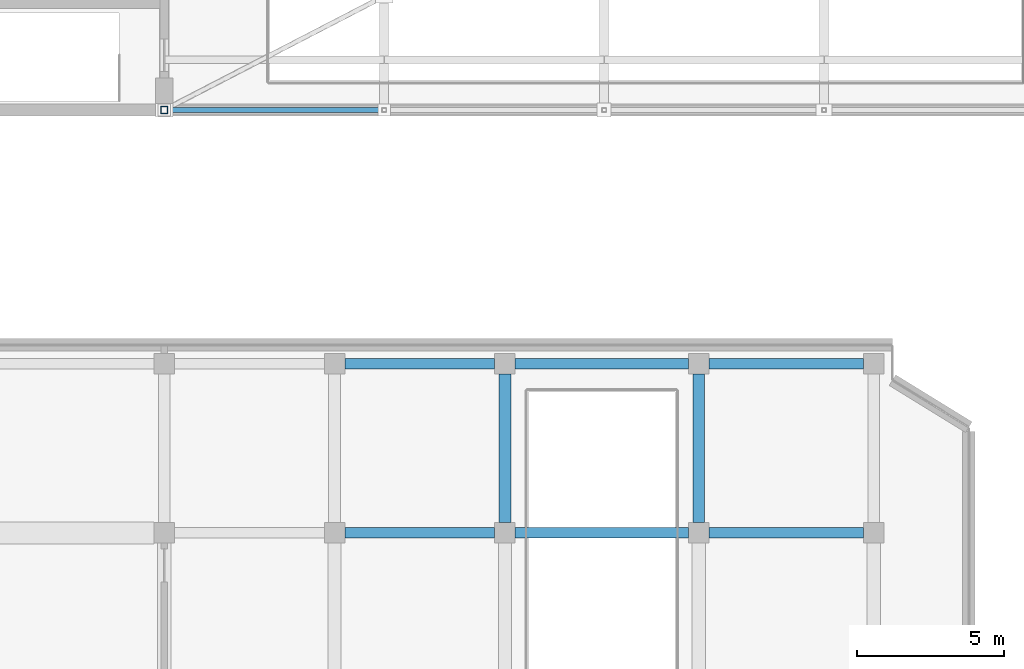
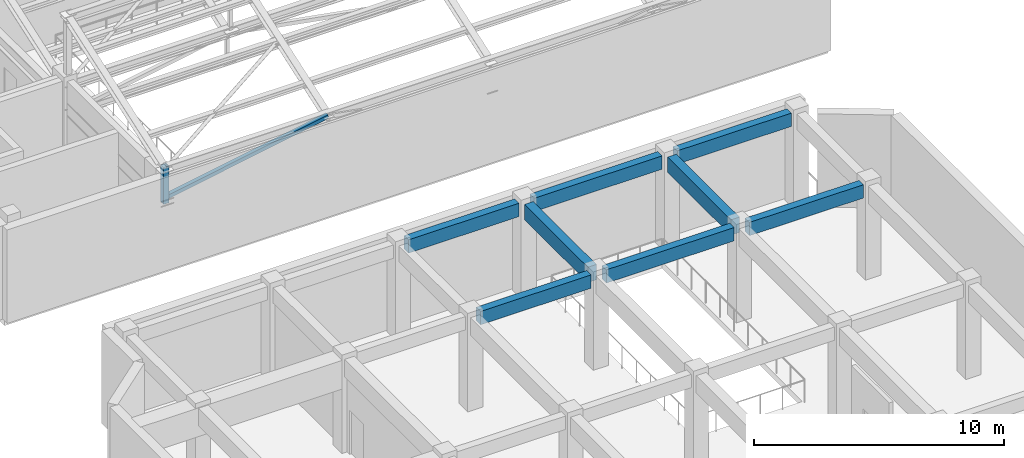
# One storey, part 17 of 76: 8 beams, 2 members.
"""IFC4 building model written with IfcOpenShell, lengths in metres."""

import ifcopenshell
import ifcopenshell.guid

model = None  # the IFC model being written
_history = None  # IfcOwnerHistory: only IFC2X3 demands one
_inside = {}  # id of a spatial element -> (the spatial element, [elements in it])
_under = {}  # id of a project, library or spatial element -> (it, [spatial elements below it])
_declared = {}  # id of a project -> (the project, [libraries it declares])
_typed = {}  # id of a type object -> (the type object, [elements of that type])
_made_of = {}  # id of a material, layer set ... -> (it, [elements and type objects made of it])


def new_model(schema):
    """Start an empty IFC model of exactly this schema.

    Asked for "IFC4X3", IfcOpenShell would pick the latest addendum, in which some entities
    have other attributes; the version numbers below select the first issue.
    IFC2X3 requires an IfcOwnerHistory on every rooted entity: one is made here for all.
    """
    global model, _history
    if schema == "IFC4X3":
        model = ifcopenshell.file(schema_version=(4, 3, 0, 0))
    else:
        model = ifcopenshell.file(schema=schema)
    _inside.clear()
    _under.clear()
    _declared.clear()
    _typed.clear()
    _made_of.clear()
    _history = None
    if model.schema == "IFC2X3":
        org = make("IfcOrganization", Name="unknown")
        user = make(
            "IfcPersonAndOrganization",
            ThePerson=make("IfcPerson", FamilyName="unknown"),
            TheOrganization=org,
        )
        app = make(
            "IfcApplication",
            ApplicationDeveloper=org,
            Version="unknown",
            ApplicationFullName="unknown",
            ApplicationIdentifier="unknown",
        )
        _history = make(
            "IfcOwnerHistory",
            OwningUser=user,
            OwningApplication=app,
            ChangeAction="ADDED",
            CreationDate=0,
        )
    return model


def make(cls, **values):
    """One entity of the class cls with the attributes given. An attribute that is None is left unset."""
    return model.create_entity(
        cls, **{name: value for name, value in values.items() if value is not None}
    )


def rooted(cls, **values):
    """An entity with a GlobalId (a new one), such as an element, a storey or a relation."""
    return make(cls, GlobalId=ifcopenshell.guid.new(), OwnerHistory=_history, **values)


def si_unit(unit_type, name, prefix=None):
    """IfcSIUnit, for example si_unit("LENGTHUNIT", "METRE", prefix="MILLI")."""
    return make("IfcSIUnit", UnitType=unit_type, Prefix=prefix, Name=name)


def assignment(units):
    """IfcUnitAssignment: the units of a project."""
    return None if units is None else make("IfcUnitAssignment", Units=units)


def point(xyz):
    """IfcCartesianPoint."""
    return None if xyz is None else make("IfcCartesianPoint", Coordinates=xyz)


def direction(xyz):
    """IfcDirection."""
    return None if xyz is None else make("IfcDirection", DirectionRatios=xyz)


def frame(location, z_axis=None, x_axis=None):
    """IfcAxis2Placement3D, a coordinate frame: its origin and axes. An axis left out is left unset."""
    return make(
        "IfcAxis2Placement3D",
        Location=point(location),
        Axis=direction(z_axis),
        RefDirection=direction(x_axis),
    )


def frame_2d(location, x_axis=None):
    """IfcAxis2Placement2D, a coordinate frame in the plane: its origin and x axis."""
    return make(
        "IfcAxis2Placement2D", Location=point(location), RefDirection=direction(x_axis)
    )


def origin():
    """The frame at (0, 0, 0) with its axes left unset."""
    return frame((0.0, 0.0, 0.0))


def origin_2d():
    """The frame at (0, 0) in the plane with its x axis left unset."""
    return frame_2d((0.0, 0.0))


def place(relative_to, where):
    """IfcLocalPlacement: puts the frame where relative to a parent placement (None: the world)."""
    return make(
        "IfcLocalPlacement", PlacementRelTo=relative_to, RelativePlacement=where
    )


def context(
    kind, dimensions, precision=None, world=None, true_north=None, identifier=None
):
    """IfcGeometricRepresentationContext, for example the 3D "Model" context."""
    return make(
        "IfcGeometricRepresentationContext",
        ContextIdentifier=identifier,
        ContextType=kind,
        CoordinateSpaceDimension=dimensions,
        Precision=precision,
        WorldCoordinateSystem=world,
        TrueNorth=true_north,
    )


def subcontext(parent, identifier, kind, view, scale=None):
    """IfcGeometricRepresentationSubContext, for example "Body" below "Model"."""
    return make(
        "IfcGeometricRepresentationSubContext",
        ContextIdentifier=identifier,
        ContextType=kind,
        ParentContext=parent,
        TargetScale=scale,
        TargetView=view,
    )


def project(units=None, contexts=None):
    """IfcProject with its units and contexts."""
    return rooted(
        "IfcProject",
        Name="project",
        RepresentationContexts=contexts,
        UnitsInContext=assignment(units),
    )


def spatial(cls, under=None, at=None, **own):
    """A site, building, storey or space (cls), placed at a placement, below another one or the project."""
    s = rooted(cls, ObjectPlacement=at, **own)
    if under is not None:
        _under.setdefault(under.id(), (under, []))[1].append(s)
    return s


def profile(cls, at=None, kind="AREA", **sizes):
    """A parametric profile (cls). Its sizes go by their IFC names, for example OverallWidth=200.0."""
    return make(cls, ProfileType=kind, Position=at, **sizes)


def rectangle(**sizes):
    """IfcRectangleProfileDef."""
    return profile("IfcRectangleProfileDef", **sizes)


def hollow_rectangle(**sizes):
    """IfcRectangleHollowProfileDef."""
    return profile("IfcRectangleHollowProfileDef", **sizes)


def extrude(swept, where, along, depth):
    """IfcExtrudedAreaSolid: the profile swept, set in the frame where, extruded along a direction by depth."""
    return make(
        "IfcExtrudedAreaSolid",
        SweptArea=swept,
        Position=where,
        ExtrudedDirection=direction(along),
        Depth=depth,
    )


def shape(context_of_items, identifier, shape_type, items):
    """IfcShapeRepresentation: the items that make up one representation, for example the "Body"."""
    return make(
        "IfcShapeRepresentation",
        ContextOfItems=context_of_items,
        RepresentationIdentifier=identifier,
        RepresentationType=shape_type,
        Items=items,
    )


def material(Name=None, Category=None):
    """IfcMaterial."""
    return make("IfcMaterial", Name=Name, Category=Category)


def material_profile(
    of_material, cross_section, Name=None, Category=None, Priority=None
):
    """IfcMaterialProfile: a cross section and its material."""
    return make(
        "IfcMaterialProfile",
        Name=Name,
        Material=of_material,
        Profile=cross_section,
        Priority=Priority,
        Category=Category,
    )


def profile_set(profiles, Name=None, composite=None):
    """IfcMaterialProfileSet."""
    return make(
        "IfcMaterialProfileSet",
        Name=Name,
        MaterialProfiles=profiles,
        CompositeProfile=composite,
    )


def made_of(thing, what):
    """Note that an element or type object is made of a material, layer set ...; save() writes the relation."""
    if what is not None:
        _made_of.setdefault(what.id(), (what, []))[1].append(thing)
    return thing


def type_object(cls, material=None, **own):
    """A type object (cls), such as IfcWallType, which elements share."""
    return made_of(rooted(cls, **own), material)


def element(
    cls,
    number,
    at=None,
    inside=None,
    cuts=None,
    type_object=None,
    material=None,
    context=None,
    identifier="Body",
    shape_type=None,
    held_by="IfcProductDefinitionShape",
    body=None,
    shapes=None,
    **own,
):
    """One element of the class cls, such as IfcWall. Its Tag is "e" and its number.

    at: its placement. inside: the storey or other place that contains it. cuts: it is an
    opening in that element (IfcRelVoidsElement). A single representation is given by context,
    identifier, shape_type and body (its items); several are given by shapes. held_by: the class
    of the entity that holds the representations. save() writes the other relations.
    """
    e = rooted(cls, Tag="e%d" % number, ObjectPlacement=at, **own)
    if body is not None:
        shapes = [shape(context, identifier, shape_type, body)]
    if shapes is not None:
        e.Representation = make(held_by, Representations=shapes)
    if inside is not None:
        _inside.setdefault(inside.id(), (inside, []))[1].append(e)
    if cuts is not None:
        rooted(
            "IfcRelVoidsElement", RelatingBuildingElement=cuts, RelatedOpeningElement=e
        )
    if type_object is not None:
        _typed.setdefault(type_object.id(), (type_object, []))[1].append(e)
    return made_of(e, material)


def aggregate(whole, parts):
    """IfcRelAggregates: a whole, such as a stair, and the parts it consists of."""
    return rooted("IfcRelAggregates", RelatingObject=whole, RelatedObjects=parts)


def save(model, path):
    """Write the relations noted so far, then the file.

    IfcRelAggregates (storeys below a building ...), IfcRelContainedInSpatialStructure (elements
    in a storey), IfcRelDefinesByType, IfcRelAssociatesMaterial and IfcRelDeclares: one each for
    every whole, place, type object, material and project.
    """
    for whole, parts in _under.values():
        aggregate(whole, parts)
    for where, things in _inside.values():
        rooted(
            "IfcRelContainedInSpatialStructure",
            RelatedElements=things,
            RelatingStructure=where,
        )
    for kind, things in _typed.values():
        rooted("IfcRelDefinesByType", RelatedObjects=things, RelatingType=kind)
    for what, things in _made_of.values():
        rooted("IfcRelAssociatesMaterial", RelatedObjects=things, RelatingMaterial=what)
    for by, libraries in _declared.values():
        rooted("IfcRelDeclares", RelatingContext=by, RelatedDefinitions=libraries)
    model.write(path)


model = new_model("IFC4")

# Units and contexts
model_context = context("Model", 3, precision=1e-05, world=origin(), true_north=direction((0.0, 1.0)))
body_context = subcontext(model_context, "Body", "Model", "MODEL_VIEW")
ifc_project = project(units=[si_unit("LENGTHUNIT", "METRE"), si_unit("AREAUNIT", "SQUARE_METRE"), si_unit("VOLUMEUNIT", "CUBIC_METRE"), si_unit("PLANEANGLEUNIT", "RADIAN"), si_unit("MASSUNIT", "GRAM", prefix="KILO")], contexts=[model_context])

# Site, building, storey
site_placement = place(None, origin())
site = spatial("IfcSite", under=ifc_project, at=site_placement, CompositionType="ELEMENT")
building_placement = place(site_placement, origin())
building = spatial("IfcBuilding", under=site, at=building_placement, Name="Cinchona Park Media Centre", CompositionType="ELEMENT")
storey_placement = place(building_placement, frame((0.0, 0.0, 15.60009765625)))
storey = spatial("IfcBuildingStorey", under=building, at=storey_placement, Name="L03", CompositionType="ELEMENT", Elevation=15.60009765625)

# Beams
ifc_material_1 = material(Name="Concrete C35/45", Category="concrete")
ifc_material_profile_1 = material_profile(ifc_material_1, rectangle(XDim=0.39990234375, YDim=0.75, at=origin_2d()), Name="RB 400X750")
ifc_profile_set_1 = profile_set([ifc_material_profile_1], Name="Concrete C35/45")
beam_type_1 = type_object("IfcBeamType", Name="BEAM-B01-RB400X750", PredefinedType="BEAM", material=ifc_profile_set_1)
for number, where, z_axis, x_axis, name in (
    (1, (27.0, 87.949951171875, 4.1748046875), (0.0, 1.0, 0.0), (-1.0, 0.0, 0.0), "Girder B01 L03"),
    (2, (33.60009765625, 87.949951171875, 4.1748046875), (0.0, 1.0, 0.0), (-1.0, 0.0, 0.0), "Girder B01 L03"),
):
    element("IfcBeam", number, at=place(storey_placement, frame(where, z_axis=z_axis, x_axis=x_axis)), inside=storey, type_object=beam_type_1, Name=name, PredefinedType="BEAM", context=body_context, shape_type="SweptSolid", body=[
        extrude(rectangle(XDim=0.39990234375, YDim=0.75, at=origin_2d()), origin(), (0.0, 0.0, 1.0), 5.06005859375),
    ])
ifc_material_2 = material(Name="Concrete C35/45", Category="concrete")
ifc_material_profile_2 = material_profile(ifc_material_2, rectangle(XDim=0.35009765625, YDim=0.64990234375, at=origin_2d()), Name="RB 350X650")
ifc_profile_set_2 = profile_set([ifc_material_profile_2], Name="Concrete C35/45")
beam_type_2 = type_object("IfcBeamType", Name="BEAM-B04-RB350X650", PredefinedType="BEAM", material=ifc_profile_set_2)
beam_1_placement = place(storey_placement, frame((21.550048828125, 87.60009765625, 4.224853515625), z_axis=(1.0, 0.0, 0.0), x_axis=(0.0, 1.0, 0.0)))
element("IfcBeam", 3, at=beam_1_placement, inside=storey, type_object=beam_type_2, Name="Beam B04 L03", PredefinedType="BEAM", context=body_context, shape_type="SweptSolid", body=[
    extrude(rectangle(XDim=0.35009765625, YDim=0.64990234375, at=origin_2d()), origin(), (0.0, 0.0, 1.0), 5.099853515625),
])
beam_2_placement = place(storey_placement, frame((27.35009765625, 87.60009765625, 4.224853515625), z_axis=(1.0, 0.0, 0.0), x_axis=(0.0, 1.0, 0.0)))
element("IfcBeam", 4, at=beam_2_placement, inside=storey, type_object=beam_type_2, Name="Beam B04 L03", PredefinedType="BEAM", context=body_context, shape_type="SweptSolid", body=[
    extrude(rectangle(XDim=0.35009765625, YDim=0.64990234375, at=origin_2d()), origin(), (0.0, 0.0, 1.0), 5.89990234375),
])
beam_3_placement = place(storey_placement, frame((33.949951171875, 87.60009765625, 4.224853515625), z_axis=(1.0, 0.0, 0.0), x_axis=(0.0, 1.0, 0.0)))
element("IfcBeam", 5, at=beam_3_placement, inside=storey, type_object=beam_type_2, Name="Beam B04 L03", PredefinedType="BEAM", context=body_context, shape_type="SweptSolid", body=[
    extrude(rectangle(XDim=0.35009765625, YDim=0.64990234375, at=origin_2d()), origin(), (0.0, 0.0, 1.0), 5.260009765625),
])
beam_4_placement = place(storey_placement, frame((21.550048828125, 93.360107421875, 4.224853515625), z_axis=(1.0, 0.0, 0.0), x_axis=(0.0, 1.0, 0.0)))
element("IfcBeam", 6, at=beam_4_placement, inside=storey, type_object=beam_type_2, Name="Beam B04 L03", PredefinedType="BEAM", context=body_context, shape_type="SweptSolid", body=[
    extrude(rectangle(XDim=0.35009765625, YDim=0.64990234375, at=origin_2d()), origin(), (0.0, 0.0, 1.0), 5.099853515625),
])
beam_5_placement = place(storey_placement, frame((27.35009765625, 93.360107421875, 4.224853515625), z_axis=(1.0, 0.0, 0.0), x_axis=(0.0, 1.0, 0.0)))
element("IfcBeam", 7, at=beam_5_placement, inside=storey, type_object=beam_type_2, Name="Beam B04 L03", PredefinedType="BEAM", context=body_context, shape_type="SweptSolid", body=[
    extrude(rectangle(XDim=0.35009765625, YDim=0.64990234375, at=origin_2d()), origin(), (0.0, 0.0, 1.0), 5.89990234375),
])
beam_6_placement = place(storey_placement, frame((33.949951171875, 93.360107421875, 4.224853515625), z_axis=(1.0, 0.0, 0.0), x_axis=(0.0, 1.0, 0.0)))
element("IfcBeam", 8, at=beam_6_placement, inside=storey, type_object=beam_type_2, Name="Beam B04 L03", PredefinedType="BEAM", context=body_context, shape_type="SweptSolid", body=[
    extrude(rectangle(XDim=0.35009765625, YDim=0.64990234375, at=origin_2d()), origin(), (0.0, 0.0, 1.0), 5.260009765625),
])

# Members
ifc_material_3 = material(Name="Steel S355", Category="steel")
ifc_material_profile_3 = material_profile(ifc_material_3, hollow_rectangle(XDim=0.25, YDim=0.25, WallThickness=0.01611328125, at=origin_2d()), Name="250X250X16SHS")
ifc_profile_set_3 = profile_set([ifc_material_profile_3], Name="Steel S355")
member_type_1 = type_object("IfcMemberType", Name="MEMBER-TS02-SHS250X250X16", PredefinedType="STRUT", material=ifc_profile_set_3)
member_1_placement = place(storey_placement, frame((15.39990234375, 102.0, 3.199951171875), z_axis=(0.0, 0.0, 1.0), x_axis=(1.0, 0.0, 0.0)))
element("IfcMember", 9, at=member_1_placement, inside=storey, type_object=member_type_1, Name="Sawtooth Bearing Post TS02 V2 B1", PredefinedType="STRUT", context=body_context, shape_type="SweptSolid", body=[
    extrude(hollow_rectangle(XDim=0.25, YDim=0.25, WallThickness=0.01611328125, at=origin_2d()), origin(), (0.0, 0.0, 1.0), 1.7900390625),
])
ifc_material_4 = material(Name="Steel S355", Category="steel")
ifc_material_profile_4 = material_profile(ifc_material_4, hollow_rectangle(XDim=0.179931640625, YDim=0.179931640625, WallThickness=0.012451171875, at=origin_2d()), Name="180X180X12.5SHS")
ifc_profile_set_4 = profile_set([ifc_material_profile_4], Name="Steel S355")
member_type_2 = type_object("IfcMemberType", Name="MEMBER-TS04-SHS180X180X12.5", PredefinedType="STRUT", material=ifc_profile_set_4)
member_2_placement = place(storey_placement, frame((15.39990234375, 102.0, 3.449951171875), z_axis=(0.984145381083, 0.0, 0.177363662832), x_axis=(0.0, 1.0, 0.0)))
element("IfcMember", 10, at=member_2_placement, inside=storey, type_object=member_type_2, Name="ROOF TRUSS Web Diagonal TN1", PredefinedType="STRUT", context=body_context, shape_type="SweptSolid", body=[
    extrude(hollow_rectangle(XDim=0.179931640625, YDim=0.179931640625, WallThickness=0.012451171875, at=origin_2d()), origin(), (0.0, 0.0, 1.0), 7.610595703125),
])

save(model, "model.ifc")
